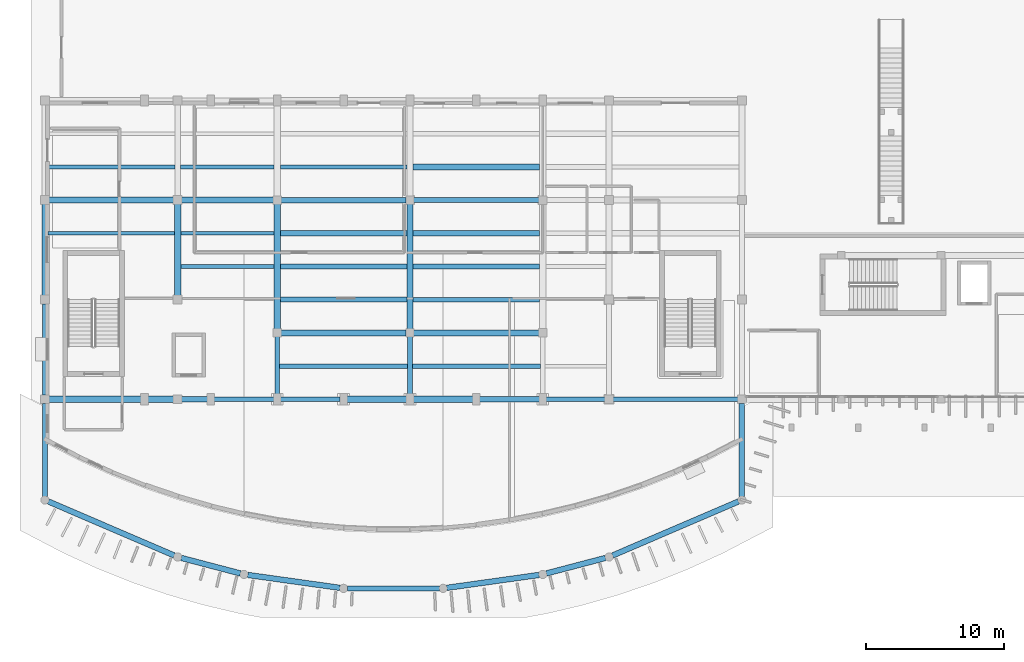
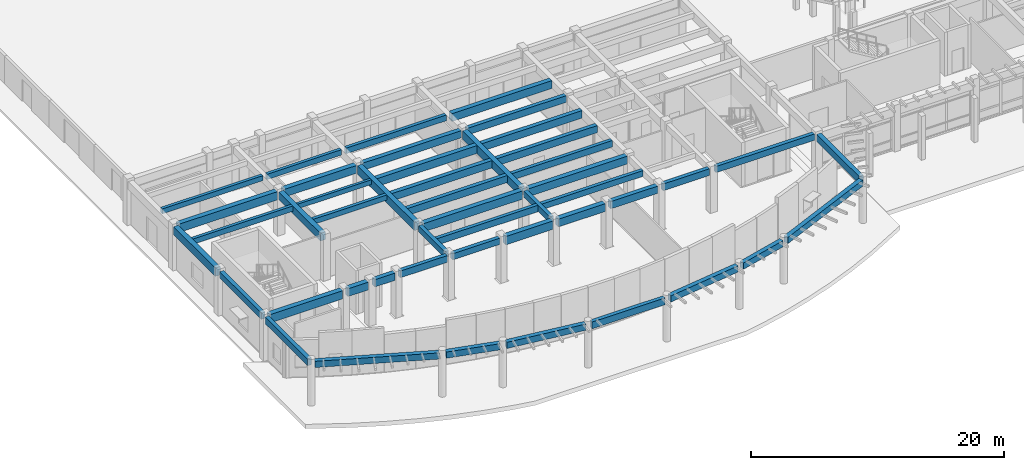
# One storey, part 9 of 58: 47 beams.
"""IFC4 building model written with IfcOpenShell, lengths in metres."""

from ifc_helpers import new_model, si_unit, direction, frame, origin, origin_2d, place, context, subcontext, project, spatial, rectangle, extrude, material, material_profile, profile_set, type_object, element, save


model = new_model("IFC4")

# Units and contexts
model_context = context("Model", 3, precision=1e-05, world=origin(), true_north=direction((0.0, 1.0)))
body_context = subcontext(model_context, "Body", "Model", "MODEL_VIEW")
ifc_project = project(units=[si_unit("LENGTHUNIT", "METRE"), si_unit("AREAUNIT", "SQUARE_METRE"), si_unit("VOLUMEUNIT", "CUBIC_METRE"), si_unit("PLANEANGLEUNIT", "RADIAN"), si_unit("MASSUNIT", "GRAM", prefix="KILO")], contexts=[model_context])

# Site, building, storey
site_placement = place(None, origin())
site = spatial("IfcSite", under=ifc_project, at=site_placement, CompositionType="ELEMENT")
building_placement = place(site_placement, origin())
building = spatial("IfcBuilding", under=site, at=building_placement, Name="Brisavento Harbour Community Centre", CompositionType="ELEMENT")
storey_placement = place(building_placement, origin())
storey = spatial("IfcBuildingStorey", under=building, at=storey_placement, Name="L00", CompositionType="ELEMENT", Elevation=0.0)

# Beams
ifc_material = material(Name="Concrete C35/45", Category="concrete")
ifc_material_profile_1 = material_profile(ifc_material, rectangle(XDim=0.25, YDim=0.449951171875, at=origin_2d()), Name="Concrete C35/45")
ifc_profile_set_1 = profile_set([ifc_material_profile_1], Name="Concrete C35/45")
beam_type_1 = type_object("IfcBeamType", Name="BM-JST-250x450", PredefinedType="JOIST", material=ifc_profile_set_1)
beam_1_placement = place(storey_placement, frame((9.824951171875, 26.39990234375, 4.014892578125), z_axis=(1.0, 0.0, 0.0), x_axis=(0.0, 1.0, 0.0)))
element("IfcBeam", 1, at=beam_1_placement, inside=storey, type_object=beam_type_1, Name="L00 secondary floor joist 0134", PredefinedType="JOIST", context=body_context, shape_type="SweptSolid", body=[
    extrude(rectangle(XDim=0.25, YDim=0.449951171875, at=origin_2d()), origin(), (0.0, 0.0, 1.0), 6.75),
])
ifc_material_profile_2 = material_profile(ifc_material, rectangle(XDim=0.280029296875, YDim=0.47998046875, at=origin_2d()), Name="Concrete C35/45")
ifc_profile_set_2 = profile_set([ifc_material_profile_2], Name="Concrete C35/45")
beam_type_2 = type_object("IfcBeamType", Name="BM-JST-280x480", PredefinedType="JOIST", material=ifc_profile_set_2)
beam_2_placement = place(storey_placement, frame((0.22509765625, 31.199951171875, 4.0), z_axis=(1.0, 0.0, 0.0), x_axis=(0.0, 1.0, 0.0)))
element("IfcBeam", 2, at=beam_2_placement, inside=storey, type_object=beam_type_2, Name="L00 secondary floor joist 0125", PredefinedType="JOIST", context=body_context, shape_type="SweptSolid", body=[
    extrude(rectangle(XDim=0.280029296875, YDim=0.47998046875, at=origin_2d()), origin(), (0.0, 0.0, 1.0), 9.1748046875),
])
ifc_material_profile_3 = material_profile(ifc_material, rectangle(XDim=0.280029296875, YDim=0.52001953125, at=origin_2d()), Name="Concrete C35/45")
ifc_profile_set_3 = profile_set([ifc_material_profile_3], Name="Concrete C35/45")
beam_type_3 = type_object("IfcBeamType", Name="BM-JST-280x520", PredefinedType="JOIST", material=ifc_profile_set_3)
beam_3_placement = place(storey_placement, frame((0.22509765625, 26.39990234375, 3.97998046875), z_axis=(1.0, 0.0, 0.0), x_axis=(0.0, 1.0, 0.0)))
element("IfcBeam", 3, at=beam_3_placement, inside=storey, type_object=beam_type_3, Name="L00 secondary floor joist 0124", PredefinedType="JOIST", context=body_context, shape_type="SweptSolid", body=[
    extrude(rectangle(XDim=0.280029296875, YDim=0.52001953125, at=origin_2d()), origin(), (0.0, 0.0, 1.0), 9.14990234375),
])
beam_4_placement = place(storey_placement, frame((9.800048828125, 31.199951171875, 3.97998046875), z_axis=(1.0, 0.0, 0.0), x_axis=(0.0, 1.0, 0.0)))
element("IfcBeam", 4, at=beam_4_placement, inside=storey, type_object=beam_type_3, Name="L00 secondary floor joist 0135", PredefinedType="JOIST", context=body_context, shape_type="SweptSolid", body=[
    extrude(rectangle(XDim=0.280029296875, YDim=0.52001953125, at=origin_2d()), origin(), (0.0, 0.0, 1.0), 6.77490234375),
])
ifc_material_profile_4 = material_profile(ifc_material, rectangle(XDim=0.300048828125, YDim=0.5, at=origin_2d()), Name="Concrete C35/45")
ifc_profile_set_4 = profile_set([ifc_material_profile_4], Name="Concrete C35/45")
beam_type_4 = type_object("IfcBeamType", Name="BM-JST-300x500", PredefinedType="JOIST", material=ifc_profile_set_4)
beam_5_placement = place(storey_placement, frame((9.824951171875, 24.0, 3.989990234375), z_axis=(1.0, 0.0, 0.0), x_axis=(0.0, 1.0, 0.0)))
element("IfcBeam", 5, at=beam_5_placement, inside=storey, type_object=beam_type_4, Name="L00 secondary floor joist 0133", PredefinedType="JOIST", context=body_context, shape_type="SweptSolid", body=[
    extrude(rectangle(XDim=0.300048828125, YDim=0.5, at=origin_2d()), origin(), (0.0, 0.0, 1.0), 6.75),
])
ifc_material_profile_5 = material_profile(ifc_material, rectangle(XDim=0.300048828125, YDim=0.550048828125, at=origin_2d()), Name="Concrete C35/45")
ifc_profile_set_5 = profile_set([ifc_material_profile_5], Name="Concrete C35/45")
beam_type_5 = type_object("IfcBeamType", Name="BM-JST-300x550", PredefinedType="JOIST", material=ifc_profile_set_5)
beam_6_placement = place(storey_placement, frame((17.02490234375, 31.199951171875, 3.965087890625), z_axis=(1.0, 0.0, 0.0), x_axis=(0.0, 1.0, 0.0)))
element("IfcBeam", 6, at=beam_6_placement, inside=storey, type_object=beam_type_5, Name="L00 secondary floor joist 0143", PredefinedType="JOIST", context=body_context, shape_type="SweptSolid", body=[
    extrude(rectangle(XDim=0.300048828125, YDim=0.550048828125, at=origin_2d()), origin(), (0.0, 0.0, 1.0), 9.150146484375),
])
ifc_material_profile_6 = material_profile(ifc_material, rectangle(XDim=0.320068359375, YDim=0.56005859375, at=origin_2d()), Name="Concrete C35/45")
ifc_profile_set_6 = profile_set([ifc_material_profile_6], Name="Concrete C35/45")
beam_type_6 = type_object("IfcBeamType", Name="BM-JST-320x560", PredefinedType="JOIST", material=ifc_profile_set_6)
beam_7_placement = place(storey_placement, frame((26.574951171875, 16.800048828125, 3.9599609375), z_axis=(1.0, 0.0, 0.0), x_axis=(0.0, 1.0, 0.0)))
element("IfcBeam", 7, at=beam_7_placement, inside=storey, type_object=beam_type_6, Name="L00 secondary floor joist 0149", PredefinedType="JOIST", context=body_context, shape_type="SweptSolid", body=[
    extrude(rectangle(XDim=0.320068359375, YDim=0.56005859375, at=origin_2d()), origin(), (0.0, 0.0, 1.0), 9.25),
])
ifc_material_profile_7 = material_profile(ifc_material, rectangle(XDim=0.320068359375, YDim=0.6201171875, at=origin_2d()), Name="Concrete C35/45")
ifc_profile_set_7 = profile_set([ifc_material_profile_7], Name="Concrete C35/45")
beam_type_7 = type_object("IfcBeamType", Name="BM-JST-320x620", PredefinedType="JOIST", material=ifc_profile_set_7)
beam_8_placement = place(storey_placement, frame((16.97509765625, 16.800048828125, 3.929931640625), z_axis=(1.0, 0.0, 0.0), x_axis=(0.0, 1.0, 0.0)))
element("IfcBeam", 8, at=beam_8_placement, inside=storey, type_object=beam_type_7, Name="L00 secondary floor joist 0139", PredefinedType="JOIST", context=body_context, shape_type="SweptSolid", body=[
    extrude(rectangle(XDim=0.320068359375, YDim=0.6201171875, at=origin_2d()), origin(), (0.0, 0.0, 1.0), 9.25),
])
beam_9_placement = place(storey_placement, frame((26.625, 21.60009765625, 3.929931640625), z_axis=(1.0, 0.0, 0.0), x_axis=(0.0, 1.0, 0.0)))
element("IfcBeam", 9, at=beam_9_placement, inside=storey, type_object=beam_type_7, Name="L00 secondary floor joist 0150", PredefinedType="JOIST", context=body_context, shape_type="SweptSolid", body=[
    extrude(rectangle(XDim=0.320068359375, YDim=0.6201171875, at=origin_2d()), origin(), (0.0, 0.0, 1.0), 9.14990234375),
])
ifc_material_profile_8 = material_profile(ifc_material, rectangle(XDim=0.360107421875, YDim=0.679931640625, at=origin_2d()), Name="Concrete C35/45")
ifc_profile_set_8 = profile_set([ifc_material_profile_8], Name="Concrete C35/45")
beam_type_8 = type_object("IfcBeamType", Name="BM-JST-360x680", PredefinedType="JOIST", material=ifc_profile_set_8)
beam_10_placement = place(storey_placement, frame((17.02490234375, 21.60009765625, 3.89990234375), z_axis=(1.0, 0.0, 0.0), x_axis=(0.0, 1.0, 0.0)))
element("IfcBeam", 10, at=beam_10_placement, inside=storey, type_object=beam_type_8, Name="L00 secondary floor joist 0140", PredefinedType="JOIST", context=body_context, shape_type="SweptSolid", body=[
    extrude(rectangle(XDim=0.360107421875, YDim=0.679931640625, at=origin_2d()), origin(), (0.0, 0.0, 1.0), 9.150146484375),
])
beam_11_placement = place(storey_placement, frame((26.625, 24.0, 3.89990234375), z_axis=(1.0, 0.0, 0.0), x_axis=(0.0, 1.0, 0.0)))
element("IfcBeam", 11, at=beam_11_placement, inside=storey, type_object=beam_type_8, Name="L00 secondary floor joist 0151", PredefinedType="JOIST", context=body_context, shape_type="SweptSolid", body=[
    extrude(rectangle(XDim=0.360107421875, YDim=0.679931640625, at=origin_2d()), origin(), (0.0, 0.0, 1.0), 9.14990234375),
])
ifc_material_profile_9 = material_profile(ifc_material, rectangle(XDim=0.3798828125, YDim=0.719970703125, at=origin_2d()), Name="Concrete C35/45")
ifc_profile_set_9 = profile_set([ifc_material_profile_9], Name="Concrete C35/45")
beam_type_9 = type_object("IfcBeamType", Name="BM-JST-380x720", PredefinedType="JOIST", material=ifc_profile_set_9)
beam_12_placement = place(storey_placement, frame((17.02490234375, 24.0, 3.8798828125), z_axis=(1.0, 0.0, 0.0), x_axis=(0.0, 1.0, 0.0)))
element("IfcBeam", 12, at=beam_12_placement, inside=storey, type_object=beam_type_9, Name="L00 secondary floor joist 0141", PredefinedType="JOIST", context=body_context, shape_type="SweptSolid", body=[
    extrude(rectangle(XDim=0.3798828125, YDim=0.719970703125, at=origin_2d()), origin(), (0.0, 0.0, 1.0), 9.150146484375),
])
beam_13_placement = place(storey_placement, frame((26.625, 26.39990234375, 3.8798828125), z_axis=(1.0, 0.0, 0.0), x_axis=(0.0, 1.0, 0.0)))
element("IfcBeam", 13, at=beam_13_placement, inside=storey, type_object=beam_type_9, Name="L00 secondary floor joist 0152", PredefinedType="JOIST", context=body_context, shape_type="SweptSolid", body=[
    extrude(rectangle(XDim=0.3798828125, YDim=0.719970703125, at=origin_2d()), origin(), (0.0, 0.0, 1.0), 9.14990234375),
])
ifc_material_profile_10 = material_profile(ifc_material, rectangle(XDim=0.419921875, YDim=0.760009765625, at=origin_2d()), Name="Concrete C35/45")
ifc_profile_set_10 = profile_set([ifc_material_profile_10], Name="Concrete C35/45")
beam_type_10 = type_object("IfcBeamType", Name="BM-JST-420x760", PredefinedType="JOIST", material=ifc_profile_set_10)
beam_14_placement = place(storey_placement, frame((17.02490234375, 26.39990234375, 3.860107421875), z_axis=(1.0, 0.0, 0.0), x_axis=(0.0, 1.0, 0.0)))
element("IfcBeam", 14, at=beam_14_placement, inside=storey, type_object=beam_type_10, Name="L00 secondary floor joist 0142", PredefinedType="JOIST", context=body_context, shape_type="SweptSolid", body=[
    extrude(rectangle(XDim=0.419921875, YDim=0.760009765625, at=origin_2d()), origin(), (0.0, 0.0, 1.0), 9.150146484375),
])
beam_15_placement = place(storey_placement, frame((26.625, 31.199951171875, 3.860107421875), z_axis=(1.0, 0.0, 0.0), x_axis=(0.0, 1.0, 0.0)))
element("IfcBeam", 15, at=beam_15_placement, inside=storey, type_object=beam_type_10, Name="L00 secondary floor joist 0153", PredefinedType="JOIST", context=body_context, shape_type="SweptSolid", body=[
    extrude(rectangle(XDim=0.419921875, YDim=0.760009765625, at=origin_2d()), origin(), (0.0, 0.0, 1.0), 9.14990234375),
])
ifc_material_profile_11 = material_profile(ifc_material, rectangle(XDim=0.35009765625, YDim=0.60009765625, at=origin_2d()), Name="Concrete C35/45")
ifc_profile_set_11 = profile_set([ifc_material_profile_11], Name="Concrete C35/45")
beam_type_11 = type_object("IfcBeamType", Name="BM-RC-350x600", PredefinedType="BEAM", material=ifc_profile_set_11)
beam_16_placement = place(storey_placement, frame((17.044921875, 14.39990234375, 3.93994140625), z_axis=(1.0, 0.0, 0.0), x_axis=(0.0, 1.0, 0.0)))
element("IfcBeam", 16, at=beam_16_placement, inside=storey, type_object=beam_type_11, Name="L00 primary girder X0229", PredefinedType="BEAM", context=body_context, shape_type="SweptSolid", body=[
    extrude(rectangle(XDim=0.35009765625, YDim=0.60009765625, at=origin_2d()), origin(), (0.0, 0.0, 1.0), 4.31005859375),
])
beam_17_placement = place(storey_placement, frame((41.094970703125, 14.39990234375, 3.93994140625), z_axis=(1.0, 0.0, 0.0), x_axis=(0.0, 1.0, 0.0)))
element("IfcBeam", 17, at=beam_17_placement, inside=storey, type_object=beam_type_11, Name="L00 primary girder X0234", PredefinedType="BEAM", context=body_context, shape_type="SweptSolid", body=[
    extrude(rectangle(XDim=0.35009765625, YDim=0.60009765625, at=origin_2d()), origin(), (0.0, 0.0, 1.0), 9.010009765625),
])
beam_18_placement = place(storey_placement, frame((0.0, 14.695068359375, 3.93994140625), z_axis=(0.0, 1.0, 0.0), x_axis=(-1.0, 0.0, 0.0)))
element("IfcBeam", 18, at=beam_18_placement, inside=storey, type_object=beam_type_11, Name="L00 primary girder Y0324", PredefinedType="BEAM", context=body_context, shape_type="SweptSolid", body=[
    extrude(rectangle(XDim=0.35009765625, YDim=0.60009765625, at=origin_2d()), origin(), (0.0, 0.0, 1.0), 6.60986328125),
])
for number, where, z_axis, x_axis, name in (
    (19, (16.800048828125, 14.77001953125, 3.93994140625), (0.0, 1.0, 0.0), (-1.0, 0.0, 0.0), "L00 primary girder Y0334"),
    (20, (26.39990234375, 14.77001953125, 3.93994140625), (0.0, 1.0, 0.0), (-1.0, 0.0, 0.0), "L00 primary girder Y0339"),
):
    element("IfcBeam", number, at=place(storey_placement, frame(where, z_axis=z_axis, x_axis=x_axis)), inside=storey, type_object=beam_type_11, Name=name, PredefinedType="BEAM", context=body_context, shape_type="SweptSolid", body=[
        extrude(rectangle(XDim=0.35009765625, YDim=0.60009765625, at=origin_2d()), origin(), (0.0, 0.0, 1.0), 4.159912109375),
    ])
ifc_material_profile_12 = material_profile(ifc_material, rectangle(XDim=0.35009765625, YDim=0.64990234375, at=origin_2d()), Name="Concrete C35/45")
ifc_profile_set_12 = profile_set([ifc_material_profile_12], Name="Concrete C35/45")
beam_type_12 = type_object("IfcBeamType", Name="BM-RC-350x650", PredefinedType="BEAM", material=ifc_profile_set_12)
beam_19_placement = place(storey_placement, frame((21.8701171875, 0.724853515625, 3.9150390625), z_axis=(1.0, 0.0, 0.0), x_axis=(0.0, 1.0, 0.0)))
element("IfcBeam", 21, at=beam_19_placement, inside=storey, type_object=beam_type_12, Name="L00 primary girder X0223", PredefinedType="BEAM", context=body_context, shape_type="SweptSolid", body=[
    extrude(rectangle(XDim=0.35009765625, YDim=0.64990234375, at=origin_2d()), origin(), (0.0, 0.0, 1.0), 6.659912109375),
])
beam_20_placement = place(storey_placement, frame((12.2451171875, 14.39990234375, 3.9150390625), z_axis=(1.0, 0.0, 0.0), x_axis=(0.0, 1.0, 0.0)))
element("IfcBeam", 22, at=beam_20_placement, inside=storey, type_object=beam_type_12, Name="L00 primary girder X0228", PredefinedType="BEAM", context=body_context, shape_type="SweptSolid", body=[
    extrude(rectangle(XDim=0.35009765625, YDim=0.64990234375, at=origin_2d()), origin(), (0.0, 0.0, 1.0), 4.309814453125),
])
beam_21_placement = place(storey_placement, frame((36.2451171875, 14.39990234375, 3.9150390625), z_axis=(1.0, 0.0, 0.0), x_axis=(0.0, 1.0, 0.0)))
element("IfcBeam", 23, at=beam_21_placement, inside=storey, type_object=beam_type_12, Name="L00 primary girder X0233", PredefinedType="BEAM", context=body_context, shape_type="SweptSolid", body=[
    extrude(rectangle(XDim=0.35009765625, YDim=0.64990234375, at=origin_2d()), origin(), (0.0, 0.0, 1.0), 4.259765625),
])
beam_22_placement = place(storey_placement, frame((26.669921875, 28.800048828125, 3.9150390625), z_axis=(1.0, 0.0, 0.0), x_axis=(0.0, 1.0, 0.0)))
element("IfcBeam", 24, at=beam_22_placement, inside=storey, type_object=beam_type_12, Name="L00 primary girder X0278", PredefinedType="BEAM", context=body_context, shape_type="SweptSolid", body=[
    extrude(rectangle(XDim=0.35009765625, YDim=0.64990234375, at=origin_2d()), origin(), (0.0, 0.0, 1.0), 9.06005859375),
])
beam_23_placement = place(storey_placement, frame((0.0, 7.38427734375, 3.9150390625), z_axis=(0.0, 1.0, 0.0), x_axis=(-1.0, 0.0, 0.0)))
element("IfcBeam", 25, at=beam_23_placement, inside=storey, type_object=beam_type_12, Name="L00 primary girder Y0323", PredefinedType="BEAM", context=body_context, shape_type="SweptSolid", body=[
    extrude(rectangle(XDim=0.35009765625, YDim=0.64990234375, at=origin_2d()), origin(), (0.0, 0.0, 1.0), 6.720703125),
])
ifc_material_profile_13 = material_profile(ifc_material, rectangle(XDim=0.39990234375, YDim=0.699951171875, at=origin_2d()), Name="Concrete C35/45")
ifc_profile_set_13 = profile_set([ifc_material_profile_13], Name="Concrete C35/45")
beam_type_13 = type_object("IfcBeamType", Name="BM-RC-400x700", PredefinedType="BEAM", material=ifc_profile_set_13)
beam_24_placement = place(storey_placement, frame((9.89501953125, 14.39990234375, 3.889892578125), z_axis=(1.0, 0.0, 0.0), x_axis=(0.0, 1.0, 0.0)))
element("IfcBeam", 26, at=beam_24_placement, inside=storey, type_object=beam_type_13, Name="L00 primary girder X0227", PredefinedType="BEAM", context=body_context, shape_type="SweptSolid", body=[
    extrude(rectangle(XDim=0.39990234375, YDim=0.699951171875, at=origin_2d()), origin(), (0.0, 0.0, 1.0), 1.85986328125),
])
beam_25_placement = place(storey_placement, frame((31.445068359375, 14.39990234375, 3.889892578125), z_axis=(1.0, 0.0, 0.0), x_axis=(0.0, 1.0, 0.0)))
element("IfcBeam", 27, at=beam_25_placement, inside=storey, type_object=beam_type_13, Name="L00 primary girder X0232", PredefinedType="BEAM", context=body_context, shape_type="SweptSolid", body=[
    extrude(rectangle(XDim=0.39990234375, YDim=0.699951171875, at=origin_2d()), origin(), (0.0, 0.0, 1.0), 4.309814453125),
])
beam_26_placement = place(storey_placement, frame((17.070068359375, 28.800048828125, 3.889892578125), z_axis=(1.0, 0.0, 0.0), x_axis=(0.0, 1.0, 0.0)))
element("IfcBeam", 28, at=beam_26_placement, inside=storey, type_object=beam_type_13, Name="L00 primary girder X0277", PredefinedType="BEAM", context=body_context, shape_type="SweptSolid", body=[
    extrude(rectangle(XDim=0.39990234375, YDim=0.699951171875, at=origin_2d()), origin(), (0.0, 0.0, 1.0), 9.059814453125),
])
beam_27_placement = place(storey_placement, frame((50.39990234375, 7.38427734375, 3.889892578125), z_axis=(0.0, 1.0, 0.0), x_axis=(-1.0, 0.0, 0.0)))
element("IfcBeam", 29, at=beam_27_placement, inside=storey, type_object=beam_type_13, Name="L00 primary girder Y0352", PredefinedType="BEAM", context=body_context, shape_type="SweptSolid", body=[
    extrude(rectangle(XDim=0.39990234375, YDim=0.699951171875, at=origin_2d()), origin(), (0.0, 0.0, 1.0), 6.720703125),
])
ifc_material_profile_14 = material_profile(ifc_material, rectangle(XDim=0.449951171875, YDim=0.75, at=origin_2d()), Name="Concrete C35/45")
ifc_profile_set_14 = profile_set([ifc_material_profile_14], Name="Concrete C35/45")
beam_type_14 = type_object("IfcBeamType", Name="BM-RC-450x750", PredefinedType="BEAM", material=ifc_profile_set_14)
beam_28_placement = place(storey_placement, frame((7.445068359375, 14.39990234375, 3.864990234375), z_axis=(1.0, 0.0, 0.0), x_axis=(0.0, 1.0, 0.0)))
element("IfcBeam", 30, at=beam_28_placement, inside=storey, type_object=beam_type_14, Name="L00 primary girder X0226", PredefinedType="BEAM", context=body_context, shape_type="SweptSolid", body=[
    extrude(rectangle(XDim=0.449951171875, YDim=0.75, at=origin_2d()), origin(), (0.0, 0.0, 1.0), 1.85986328125),
])
beam_29_placement = place(storey_placement, frame((26.64501953125, 14.39990234375, 3.864990234375), z_axis=(1.0, 0.0, 0.0), x_axis=(0.0, 1.0, 0.0)))
element("IfcBeam", 31, at=beam_29_placement, inside=storey, type_object=beam_type_14, Name="L00 primary girder X0231", PredefinedType="BEAM", context=body_context, shape_type="SweptSolid", body=[
    extrude(rectangle(XDim=0.449951171875, YDim=0.75, at=origin_2d()), origin(), (0.0, 0.0, 1.0), 4.31005859375),
])
beam_30_placement = place(storey_placement, frame((26.669921875, 19.199951171875, 3.864990234375), z_axis=(1.0, 0.0, 0.0), x_axis=(0.0, 1.0, 0.0)))
element("IfcBeam", 32, at=beam_30_placement, inside=storey, type_object=beam_type_14, Name="L00 primary girder X0251", PredefinedType="BEAM", context=body_context, shape_type="SweptSolid", body=[
    extrude(rectangle(XDim=0.449951171875, YDim=0.75, at=origin_2d()), origin(), (0.0, 0.0, 1.0), 9.06005859375),
])
beam_31_placement = place(storey_placement, frame((9.89501953125, 28.800048828125, 3.864990234375), z_axis=(1.0, 0.0, 0.0), x_axis=(0.0, 1.0, 0.0)))
element("IfcBeam", 33, at=beam_31_placement, inside=storey, type_object=beam_type_14, Name="L00 primary girder X0276", PredefinedType="BEAM", context=body_context, shape_type="SweptSolid", body=[
    extrude(rectangle(XDim=0.449951171875, YDim=0.75, at=origin_2d()), origin(), (0.0, 0.0, 1.0), 6.635009765625),
])
beam_32_placement = place(storey_placement, frame((9.60009765625, 21.89501953125, 3.864990234375), z_axis=(0.0, 1.0, 0.0), x_axis=(-1.0, 0.0, 0.0)))
element("IfcBeam", 34, at=beam_32_placement, inside=storey, type_object=beam_type_14, Name="L00 primary girder Y0331", PredefinedType="BEAM", context=body_context, shape_type="SweptSolid", body=[
    extrude(rectangle(XDim=0.449951171875, YDim=0.75, at=origin_2d()), origin(), (0.0, 0.0, 1.0), 6.60986328125),
])
ifc_material_profile_15 = material_profile(ifc_material, rectangle(XDim=0.449951171875, YDim=0.800048828125, at=origin_2d()), Name="Concrete C35/45")
ifc_profile_set_15 = profile_set([ifc_material_profile_15], Name="Concrete C35/45")
beam_type_15 = type_object("IfcBeamType", Name="BM-RC-450x800", PredefinedType="BEAM", material=ifc_profile_set_15)
beam_33_placement = place(storey_placement, frame((0.294921875, 14.39990234375, 3.840087890625), z_axis=(1.0, 0.0, 0.0), x_axis=(0.0, 1.0, 0.0)))
element("IfcBeam", 35, at=beam_33_placement, inside=storey, type_object=beam_type_15, Name="L00 primary girder X0225", PredefinedType="BEAM", context=body_context, shape_type="SweptSolid", body=[
    extrude(rectangle(XDim=0.449951171875, YDim=0.800048828125, at=origin_2d()), origin(), (0.0, 0.0, 1.0), 6.66015625),
])
beam_34_placement = place(storey_placement, frame((21.844970703125, 14.39990234375, 3.840087890625), z_axis=(1.0, 0.0, 0.0), x_axis=(0.0, 1.0, 0.0)))
element("IfcBeam", 36, at=beam_34_placement, inside=storey, type_object=beam_type_15, Name="L00 primary girder X0230", PredefinedType="BEAM", context=body_context, shape_type="SweptSolid", body=[
    extrude(rectangle(XDim=0.449951171875, YDim=0.800048828125, at=origin_2d()), origin(), (0.0, 0.0, 1.0), 4.31005859375),
])
beam_35_placement = place(storey_placement, frame((17.070068359375, 19.199951171875, 3.840087890625), z_axis=(1.0, 0.0, 0.0), x_axis=(0.0, 1.0, 0.0)))
element("IfcBeam", 37, at=beam_35_placement, inside=storey, type_object=beam_type_15, Name="L00 primary girder X0250", PredefinedType="BEAM", context=body_context, shape_type="SweptSolid", body=[
    extrude(rectangle(XDim=0.449951171875, YDim=0.800048828125, at=origin_2d()), origin(), (0.0, 0.0, 1.0), 9.059814453125),
])
beam_36_placement = place(storey_placement, frame((0.294921875, 28.800048828125, 3.840087890625), z_axis=(1.0, 0.0, 0.0), x_axis=(0.0, 1.0, 0.0)))
element("IfcBeam", 38, at=beam_36_placement, inside=storey, type_object=beam_type_15, Name="L00 primary girder X0275", PredefinedType="BEAM", context=body_context, shape_type="SweptSolid", body=[
    extrude(rectangle(XDim=0.449951171875, YDim=0.800048828125, at=origin_2d()), origin(), (0.0, 0.0, 1.0), 9.010009765625),
])
beam_37_placement = place(storey_placement, frame((0.0, 21.89501953125, 3.840087890625), z_axis=(0.0, 1.0, 0.0), x_axis=(-1.0, 0.0, 0.0)))
element("IfcBeam", 39, at=beam_37_placement, inside=storey, type_object=beam_type_15, Name="L00 primary girder Y0325", PredefinedType="BEAM", context=body_context, shape_type="SweptSolid", body=[
    extrude(rectangle(XDim=0.449951171875, YDim=0.800048828125, at=origin_2d()), origin(), (0.0, 0.0, 1.0), 6.60986328125),
])
for number, where, z_axis, x_axis, name in (
    (40, (16.800048828125, 19.469970703125, 3.840087890625), (0.0, 1.0, 0.0), (-1.0, 0.0, 0.0), "L00 primary girder Y0335"),
    (41, (26.39990234375, 19.469970703125, 3.840087890625), (0.0, 1.0, 0.0), (-1.0, 0.0, 0.0), "L00 primary girder Y0340"),
):
    element("IfcBeam", number, at=place(storey_placement, frame(where, z_axis=z_axis, x_axis=x_axis)), inside=storey, type_object=beam_type_15, Name=name, PredefinedType="BEAM", context=body_context, shape_type="SweptSolid", body=[
        extrude(rectangle(XDim=0.449951171875, YDim=0.800048828125, at=origin_2d()), origin(), (0.0, 0.0, 1.0), 9.06005859375),
    ])
ifc_material_profile_16 = material_profile(ifc_material, rectangle(XDim=0.39990234375, YDim=0.60009765625, at=origin_2d()), Name="Concrete C35/45")
ifc_profile_set_16 = profile_set([ifc_material_profile_16], Name="Concrete C35/45")
beam_type_16 = type_object("IfcBeamType", Name="BM-SPN-400x600", PredefinedType="SPANDREL", material=ifc_profile_set_16)
beam_38_placement = place(storey_placement, frame((0.248046875, 7.0078125, 3.93994140625), z_axis=(0.918984336736, -0.394294038548, 0.0), x_axis=(0.394294038548, 0.918984336736, 0.0)))
element("IfcBeam", 42, at=beam_38_placement, inside=storey, type_object=beam_type_16, Name="L00 curved perimeter spandrel 0393", PredefinedType="SPANDREL", context=body_context, shape_type="SweptSolid", body=[
    extrude(rectangle(XDim=0.39990234375, YDim=0.60009765625, at=origin_2d()), origin(), (0.0, 0.0, 1.0), 9.90625),
])
beam_39_placement = place(storey_placement, frame((9.861083984375, 2.926513671875, 3.93994140625), z_axis=(0.967170277832, -0.254129206662, 0.0), x_axis=(0.254129206662, 0.967170277832, 0.0)))
element("IfcBeam", 43, at=beam_39_placement, inside=storey, type_object=beam_type_16, Name="L00 curved perimeter spandrel 0394", PredefinedType="SPANDREL", context=body_context, shape_type="SweptSolid", body=[
    extrude(rectangle(XDim=0.39990234375, YDim=0.60009765625, at=origin_2d()), origin(), (0.0, 0.0, 1.0), 4.423095703125),
])
beam_40_placement = place(storey_placement, frame((14.66748046875, 1.6962890625, 3.93994140625), z_axis=(0.990321812662, -0.13879015587, 0.0), x_axis=(0.13879015587, 0.990321812662, 0.0)))
element("IfcBeam", 44, at=beam_40_placement, inside=storey, type_object=beam_type_16, Name="L00 curved perimeter spandrel 0395", PredefinedType="SPANDREL", context=body_context, shape_type="SweptSolid", body=[
    extrude(rectangle(XDim=0.39990234375, YDim=0.60009765625, at=origin_2d()), origin(), (0.0, 0.0, 1.0), 6.730224609375),
])
beam_41_placement = place(storey_placement, frame((29.0673828125, 0.76220703125, 3.93994140625), z_axis=(0.990322511389, 0.138785170088, 0.0), x_axis=(-0.138785170088, 0.990322511389, 0.0)))
element("IfcBeam", 45, at=beam_41_placement, inside=storey, type_object=beam_type_16, Name="L00 curved perimeter spandrel 0396", PredefinedType="SPANDREL", context=body_context, shape_type="SweptSolid", body=[
    extrude(rectangle(XDim=0.39990234375, YDim=0.60009765625, at=origin_2d()), origin(), (0.0, 0.0, 1.0), 6.73046875),
])
beam_42_placement = place(storey_placement, frame((36.260986328125, 1.802490234375, 3.93994140625), z_axis=(0.967170277832, 0.254129206662, 0.0), x_axis=(-0.254129206662, 0.967170277832, 0.0)))
element("IfcBeam", 46, at=beam_42_placement, inside=storey, type_object=beam_type_16, Name="L00 curved perimeter spandrel 0397", PredefinedType="SPANDREL", context=body_context, shape_type="SweptSolid", body=[
    extrude(rectangle(XDim=0.39990234375, YDim=0.60009765625, at=origin_2d()), origin(), (0.0, 0.0, 1.0), 4.423095703125),
])
beam_43_placement = place(storey_placement, frame((41.048095703125, 3.101806640625, 3.93994140625), z_axis=(0.918984336736, 0.394294038548, 0.0), x_axis=(-0.394294038548, 0.918984336736, 0.0)))
element("IfcBeam", 47, at=beam_43_placement, inside=storey, type_object=beam_type_16, Name="L00 curved perimeter spandrel 0398", PredefinedType="SPANDREL", context=body_context, shape_type="SweptSolid", body=[
    extrude(rectangle(XDim=0.39990234375, YDim=0.60009765625, at=origin_2d()), origin(), (0.0, 0.0, 1.0), 9.90625),
])

save(model, "model.ifc")
